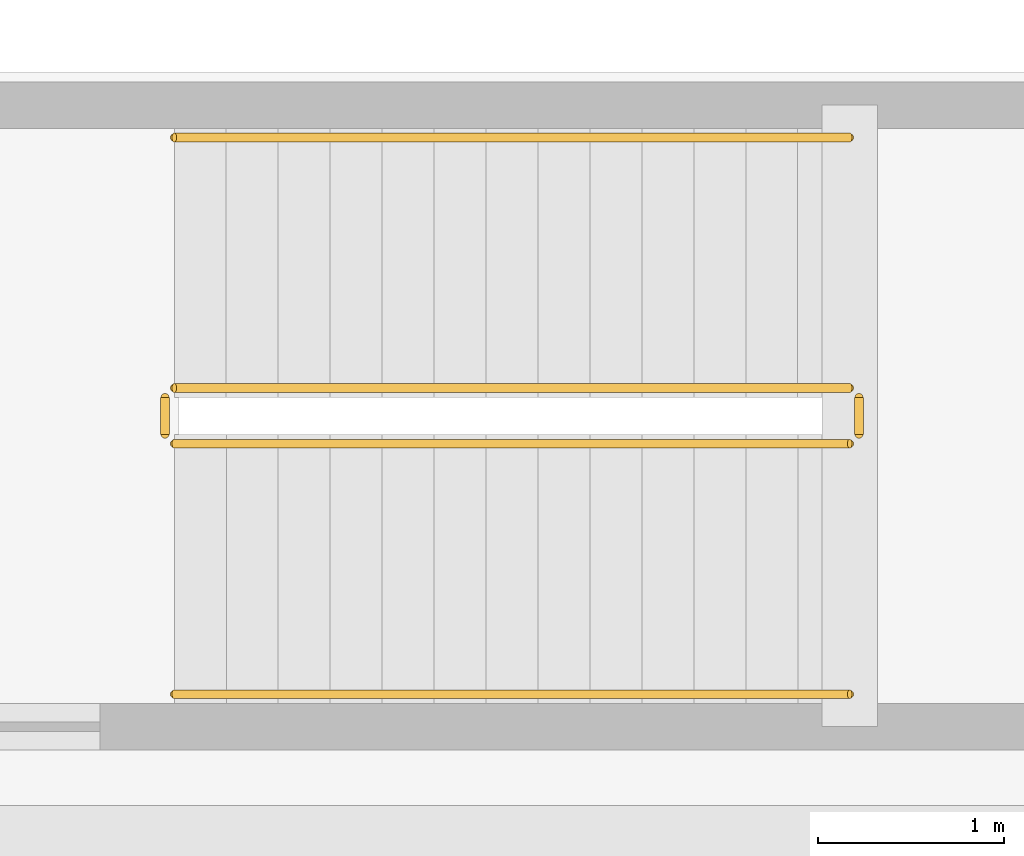
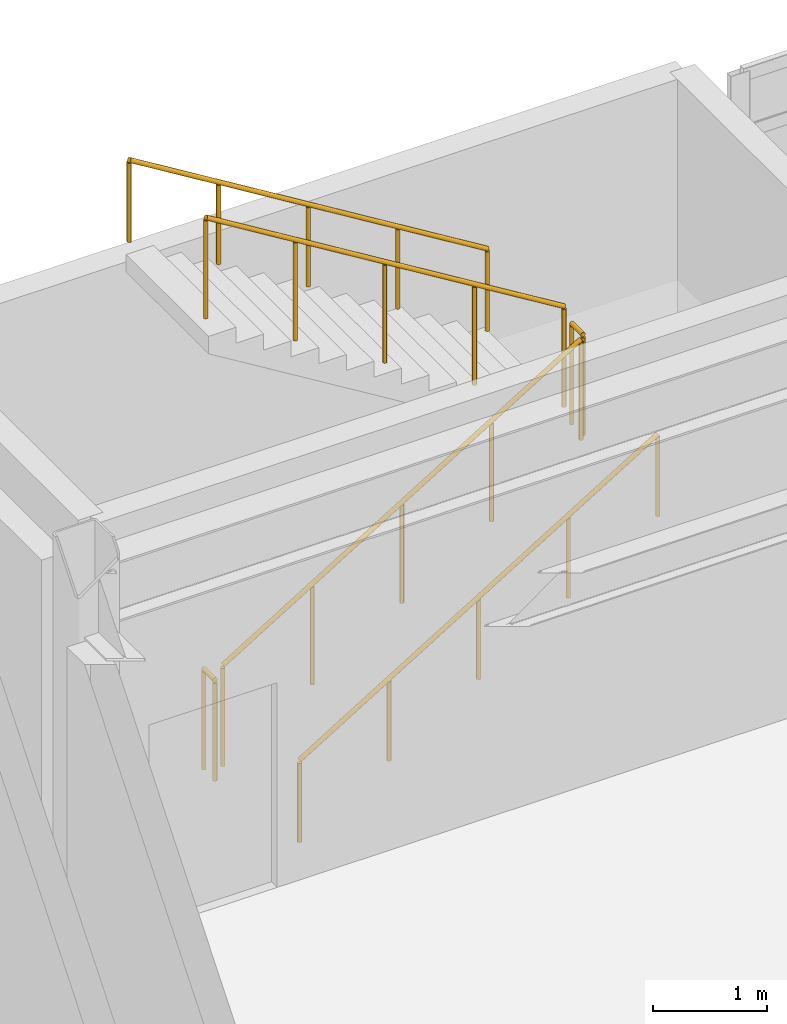
# One storey, part 163 of 172: 6 railings.
"""IFC4 building model written with IfcOpenShell, lengths in metres."""

from ifc_helpers import new_model, si_unit, direction, frame, origin, origin_2d, place, context, subcontext, project, spatial, circle, extrude, material, type_object, element, save


model = new_model("IFC4")

# Units and contexts
model_context = context("Model", 3, precision=1e-05, world=origin(), true_north=direction((0.0, 1.0)))
body_context = subcontext(model_context, "Body", "Model", "MODEL_VIEW")
ifc_project = project(units=[si_unit("LENGTHUNIT", "METRE"), si_unit("AREAUNIT", "SQUARE_METRE"), si_unit("VOLUMEUNIT", "CUBIC_METRE"), si_unit("PLANEANGLEUNIT", "RADIAN"), si_unit("MASSUNIT", "GRAM", prefix="KILO")], contexts=[model_context])

# Site, building, storey
site_placement = place(None, origin())
site = spatial("IfcSite", under=ifc_project, at=site_placement, CompositionType="ELEMENT")
building_placement = place(site_placement, origin())
building = spatial("IfcBuilding", under=site, at=building_placement, Name="Kazehara Bluff Congress Hotel", CompositionType="ELEMENT")
storey_placement = place(building_placement, frame((0.0, 0.0, 5.39990234375)))
storey = spatial("IfcBuildingStorey", under=building, at=storey_placement, Name="L01", CompositionType="ELEMENT", Elevation=5.39990234375)

# Railings
ifc_material_1 = material(Name="Brushed stainless steel", Category="steel")
railing_type_1 = type_object("IfcRailingType", Name="TP-GRD-INT", PredefinedType="GUARDRAIL", material=ifc_material_1)
railing_1_placement = place(storey_placement, frame((62.300048828125, 112.0, 0.171630859375)))
element("IfcRailing", 1, at=railing_1_placement, inside=storey, type_object=railing_type_1, Name="L01 ST-06 stair guard 1", PredefinedType="GUARDRAIL", context=body_context, shape_type="SweptSolid", body=[
    extrude(circle(Radius=0.02392578125, at=origin_2d()), frame((0.0, 0.0, 1.076171875), z_axis=(0.852850264322, 0.0, 0.5221555579), x_axis=(0.0, 1.0, 0.0)), (0.0, 0.0, 1.0), 4.267822265625),
    extrude(circle(Radius=0.02099609375, at=origin_2d()), origin(), (0.0, 0.0, 1.0), 1.052001953125),
    extrude(circle(Radius=0.02099609375, at=origin_2d()), frame((0.909912109375, 0.0, 0.55712890625)), (0.0, 0.0, 1.0), 1.052001953125),
    extrude(circle(Radius=0.02099609375, at=origin_2d()), frame((1.81982421875, 0.0, 1.1142578125)), (0.0, 0.0, 1.0), 1.052001953125),
    extrude(circle(Radius=0.02099609375, at=origin_2d()), frame((2.72998046875, 0.0, 1.67138671875)), (0.0, 0.0, 1.0), 1.052001953125),
    extrude(circle(Radius=0.02099609375, at=origin_2d()), frame((3.639892578125, 0.0, 2.228515625)), (0.0, 0.0, 1.0), 1.052001953125),
])
railing_2_placement = place(storey_placement, frame((65.989990234375, 112.050048828125, 2.400146484375)))
element("IfcRailing", 2, at=railing_2_placement, inside=storey, type_object=railing_type_1, Name="L01 ST-06 stair guard 2", PredefinedType="GUARDRAIL", context=body_context, shape_type="SweptSolid", body=[
    extrude(circle(Radius=0.02392578125, at=origin_2d()), frame((0.0, 0.0, 1.076171875), z_axis=(0.0, 1.0, 0.0), x_axis=(-1.0, 0.0, 0.0)), (0.0, 0.0, 1.0), 0.199951171875),
    extrude(circle(Radius=0.02099609375, at=origin_2d()), origin(), (0.0, 0.0, 1.0), 1.052001953125),
    extrude(circle(Radius=0.02099609375, at=origin_2d()), frame((0.0, 0.199951171875, 0.0)), (0.0, 0.0, 1.0), 1.052001953125),
])
railing_3_placement = place(storey_placement, frame((65.93994140625, 112.300048828125, 2.571533203125)))
element("IfcRailing", 3, at=railing_3_placement, inside=storey, type_object=railing_type_1, Name="L01 ST-06 stair guard 3", PredefinedType="GUARDRAIL", context=body_context, shape_type="SweptSolid", body=[
    extrude(circle(Radius=0.02392578125, at=origin_2d()), frame((0.0, 0.0, 1.076171875), z_axis=(-0.852850264322, 0.0, 0.5221555579), x_axis=(0.0, -1.0, 0.0)), (0.0, 0.0, 1.0), 4.267822265625),
    extrude(circle(Radius=0.02099609375, at=origin_2d()), origin(), (0.0, 0.0, 1.0), 1.052001953125),
    extrude(circle(Radius=0.02099609375, at=origin_2d()), frame((-0.909912109375, 0.0, 0.55712890625)), (0.0, 0.0, 1.0), 1.052001953125),
    extrude(circle(Radius=0.02099609375, at=origin_2d()), frame((-1.81982421875, 0.0, 1.1142578125)), (0.0, 0.0, 1.0), 1.052001953125),
    extrude(circle(Radius=0.02099609375, at=origin_2d()), frame((-2.72998046875, 0.0, 1.67138671875)), (0.0, 0.0, 1.0), 1.052001953125),
    extrude(circle(Radius=0.02099609375, at=origin_2d()), frame((-3.639892578125, 0.0, 2.228515625)), (0.0, 0.0, 1.0), 1.052001953125),
])
railing_4_placement = place(storey_placement, frame((62.25, 112.050048828125, 0.0)))
element("IfcRailing", 4, at=railing_4_placement, inside=storey, type_object=railing_type_1, Name="L01 ST-06 stair guard 4", PredefinedType="GUARDRAIL", context=body_context, shape_type="SweptSolid", body=[
    extrude(circle(Radius=0.02392578125, at=origin_2d()), frame((0.0, 0.0, 1.076171875), z_axis=(0.0, 1.0, 0.0), x_axis=(-1.0, 0.0, 0.0)), (0.0, 0.0, 1.0), 0.199951171875),
    extrude(circle(Radius=0.02099609375, at=origin_2d()), origin(), (0.0, 0.0, 1.0), 1.052001953125),
    extrude(circle(Radius=0.02099609375, at=origin_2d()), frame((0.0, 0.199951171875, 0.0)), (0.0, 0.0, 1.0), 1.052001953125),
])
ifc_material_2 = material(Name="Brushed stainless steel", Category="steel")
railing_type_2 = type_object("IfcRailingType", Name="TP-HR-INT", PredefinedType="HANDRAIL", material=ifc_material_2)
railing_5_placement = place(storey_placement, frame((62.300048828125, 110.64990234375, 0.171630859375)))
element("IfcRailing", 5, at=railing_5_placement, inside=storey, type_object=railing_type_2, Name="L01 ST-06 stair handrail 1", PredefinedType="HANDRAIL", context=body_context, shape_type="SweptSolid", body=[
    extrude(circle(Radius=0.02392578125, at=origin_2d()), frame((0.0, 0.0, 0.8759765625), z_axis=(0.852850264322, 0.0, 0.5221555579), x_axis=(0.0, 1.0, 0.0)), (0.0, 0.0, 1.0), 4.267822265625),
    extrude(circle(Radius=0.02099609375, at=origin_2d()), origin(), (0.0, 0.0, 1.0), 0.851806640625),
    extrude(circle(Radius=0.02099609375, at=origin_2d()), frame((0.909912109375, 0.0, 0.55712890625)), (0.0, 0.0, 1.0), 0.851806640625),
    extrude(circle(Radius=0.02099609375, at=origin_2d()), frame((1.81982421875, 0.0, 1.1142578125)), (0.0, 0.0, 1.0), 0.851806640625),
    extrude(circle(Radius=0.02099609375, at=origin_2d()), frame((2.72998046875, 0.0, 1.67138671875)), (0.0, 0.0, 1.0), 0.851806640625),
    extrude(circle(Radius=0.02099609375, at=origin_2d()), frame((3.639892578125, 0.0, 2.228515625)), (0.0, 0.0, 1.0), 0.851806640625),
])
railing_6_placement = place(storey_placement, frame((65.93994140625, 113.64990234375, 2.571533203125)))
element("IfcRailing", 6, at=railing_6_placement, inside=storey, type_object=railing_type_2, Name="L01 ST-06 stair handrail 2", PredefinedType="HANDRAIL", context=body_context, shape_type="SweptSolid", body=[
    extrude(circle(Radius=0.02392578125, at=origin_2d()), frame((0.0, 0.0, 0.8759765625), z_axis=(-0.852850264322, 0.0, 0.5221555579), x_axis=(0.0, -1.0, 0.0)), (0.0, 0.0, 1.0), 4.267822265625),
    extrude(circle(Radius=0.02099609375, at=origin_2d()), origin(), (0.0, 0.0, 1.0), 0.851806640625),
    extrude(circle(Radius=0.02099609375, at=origin_2d()), frame((-0.909912109375, 0.0, 0.55712890625)), (0.0, 0.0, 1.0), 0.851806640625),
    extrude(circle(Radius=0.02099609375, at=origin_2d()), frame((-1.81982421875, 0.0, 1.1142578125)), (0.0, 0.0, 1.0), 0.851806640625),
    extrude(circle(Radius=0.02099609375, at=origin_2d()), frame((-2.72998046875, 0.0, 1.67138671875)), (0.0, 0.0, 1.0), 0.851806640625),
    extrude(circle(Radius=0.02099609375, at=origin_2d()), frame((-3.639892578125, 0.0, 2.228515625)), (0.0, 0.0, 1.0), 0.851806640625),
])

save(model, "model.ifc")
